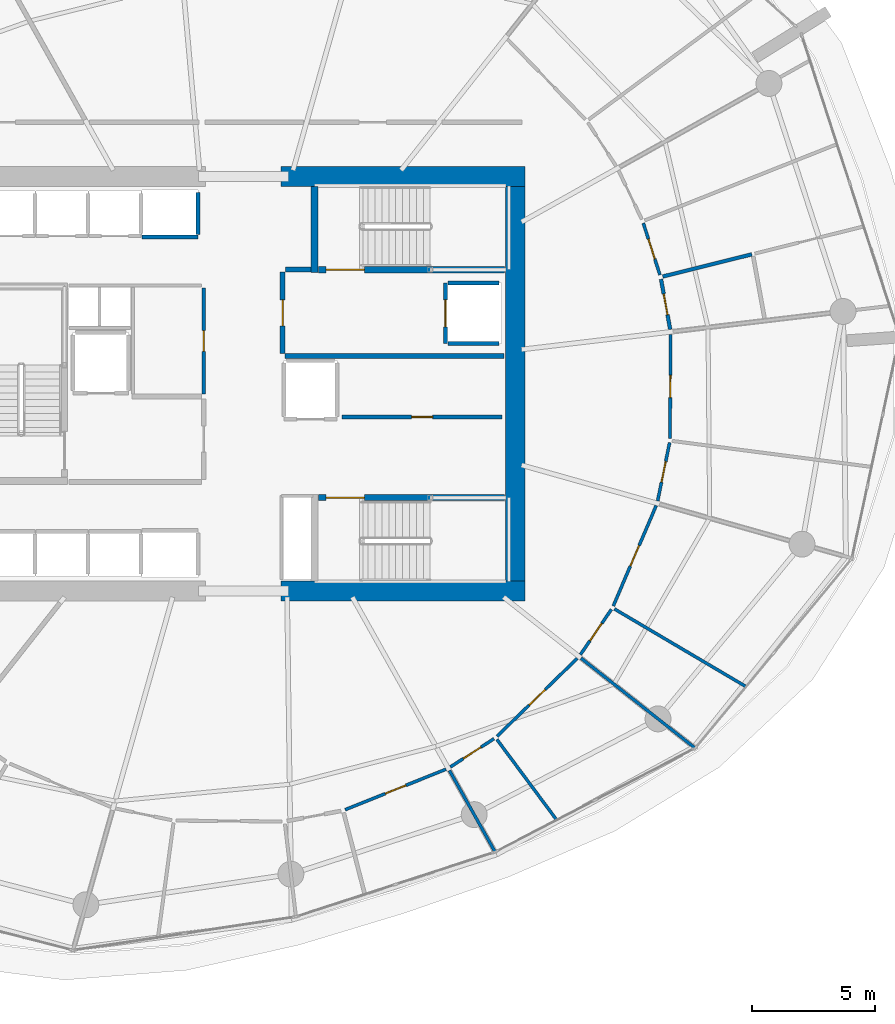
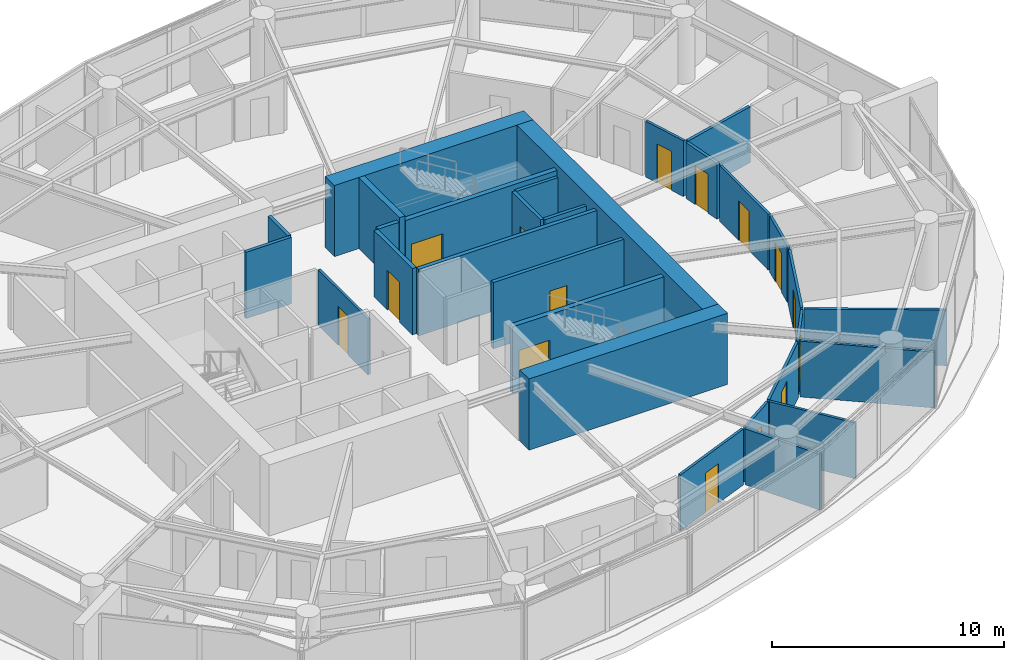
# One storey, part 14 of 17: 30 walls, 15 doors, 15 openings.
"""IFC4 building model written with IfcOpenShell, lengths in metres."""

from ifc_helpers import new_model, si_unit, direction, frame, frame_2d, origin, place, context, subcontext, project, spatial, rectangle, extrude, material, layer, layer_set, type_object, element, fill, save


model = new_model("IFC4")

# Units and contexts
model_context = context("Model", 3, precision=1e-05, world=origin(), true_north=direction((0.0, 1.0)))
body_context = subcontext(model_context, "Body", "Model", "MODEL_VIEW")
ifc_project = project(units=[si_unit("LENGTHUNIT", "METRE"), si_unit("AREAUNIT", "SQUARE_METRE"), si_unit("VOLUMEUNIT", "CUBIC_METRE"), si_unit("PLANEANGLEUNIT", "RADIAN"), si_unit("MASSUNIT", "GRAM", prefix="KILO")], contexts=[model_context])

# Site, building, storey
site_placement = place(None, origin())
site = spatial("IfcSite", under=ifc_project, at=site_placement, CompositionType="ELEMENT")
building_placement = place(site_placement, origin())
building = spatial("IfcBuilding", under=site, at=building_placement, Name="Kazma Halo Residences", CompositionType="ELEMENT")
storey_placement = place(building_placement, frame((0.0, 0.0, 127.800048828125)))
storey = spatial("IfcBuildingStorey", under=building, at=storey_placement, Name="L31", CompositionType="ELEMENT", Elevation=127.800048828125)

# Walls
ifc_material_1 = material(Name="Concrete C80/95", Category="concrete")
ifc_layer_1 = layer(ifc_material_1, 0.800048828125)
ifc_layer_set_1 = layer_set([ifc_layer_1], Name="Concrete C80/95")
wall_type_1 = type_object("IfcWallType", Name="WL-CORE-800", PredefinedType="SHEAR", material=ifc_layer_set_1)
for number, where, z_axis, x_axis, name in (
    (1, (49.949951171875, 33.60009765625, 0.0), (0.0, 0.0, 1.0), (1.0, 0.0, 0.0), "L31 central core shear wall SE"),
    (2, (49.949951171875, 50.39990234375, 0.0), (0.0, 0.0, 1.0), (1.0, 0.0, 0.0), "L31 central core shear wall NE"),
):
    element("IfcWall", number, at=place(storey_placement, frame(where, z_axis=z_axis, x_axis=x_axis)), inside=storey, type_object=wall_type_1, Name=name, PredefinedType="SHEAR", context=body_context, shape_type="SweptSolid", body=[
        extrude(rectangle(XDim=9.900146484375, YDim=0.800048828125, at=frame_2d((4.9501953125, 0.0))), origin(), (0.0, 0.0, 1.0), 3.75),
    ])
wall_1_placement = place(storey_placement, frame((59.449951171875, 34.0, 0.0), z_axis=(0.0, 0.0, 1.0), x_axis=(0.0, 1.0, 0.0)))
element("IfcWall", 3, at=wall_1_placement, inside=storey, type_object=wall_type_1, Name="L31 central core shear wall E", PredefinedType="SHEAR", context=body_context, shape_type="SweptSolid", body=[
    extrude(rectangle(XDim=16.0, YDim=0.800048828125, at=frame_2d((8.0, 0.0))), origin(), (0.0, 0.0, 1.0), 3.75),
])
ifc_material_2 = material(Name="Concrete C60/75", Category="concrete")
ifc_layer_2 = layer(ifc_material_2, 0.280029296875)
ifc_layer_set_2 = layer_set([ifc_layer_2], Name="Concrete C60/75")
wall_type_2 = type_object("IfcWallType", Name="WL-CORE-ST-280", PredefinedType="SHEAR", material=ifc_layer_set_2)
wall_2_placement = place(storey_placement, frame((51.31005859375, 46.5, 0.0), z_axis=(0.0, 0.0, 1.0), x_axis=(0.0, 1.0, 0.0)))
element("IfcWall", 4, at=wall_2_placement, inside=storey, type_object=wall_type_2, Name="L31 stairwell bearing wall ST02-W", PredefinedType="SHEAR", context=body_context, shape_type="SweptSolid", body=[
    extrude(rectangle(XDim=3.5, YDim=0.280029296875, at=frame_2d((1.75, 0.0))), origin(), (0.0, 0.0, 1.0), 3.75),
])
ifc_material_3 = material(Name="Fire-Rated Blockwork Masonry", Category="masonry")
ifc_layer_3 = layer(ifc_material_3, 0.199951171875)
ifc_layer_set_3 = layer_set([ifc_layer_3], Name="Fire-Rated Blockwork Masonry")
wall_type_3 = type_object("IfcWallType", Name="WL-FLB-200", PredefinedType="PARTITIONING", material=ifc_layer_set_3)
wall_3_placement = place(storey_placement, frame((46.580078125, 47.945068359375, 0.0), z_axis=(0.0, 0.0, 1.0), x_axis=(-1.0, 0.0, 0.0)))
element("IfcWall", 5, at=wall_3_placement, inside=storey, type_object=wall_type_3, Name="L31 lift shaft PX-01 front wall", PredefinedType="PARTITIONING", context=body_context, shape_type="SweptSolid", body=[
    extrude(rectangle(XDim=2.260009765625, YDim=0.159912109375, at=frame_2d((1.1298828125, 0.0))), origin(), (0.0, 0.0, 1.0), 3.5),
])
wall_4_placement = place(storey_placement, frame((46.580078125, 48.044921875, 0.0), z_axis=(0.0, 0.0, 1.0), x_axis=(0.0, 1.0, 0.0)))
element("IfcWall", 6, at=wall_4_placement, inside=storey, type_object=wall_type_3, Name="L31 lift shaft PX-01 side wall E", PredefinedType="PARTITIONING", context=body_context, shape_type="SweptSolid", body=[
    extrude(rectangle(XDim=1.7099609375, YDim=0.159912109375, at=frame_2d((0.85498046875, 0.0))), origin(), (0.0, 0.0, 1.0), 3.5),
])

# Wall, opening, door
wall_5_placement = place(storey_placement, frame((56.6201171875, 46.080078125, 0.0), z_axis=(0.0, 0.0, 1.0), x_axis=(0.0, -1.0, 0.0)))
wall_5 = element("IfcWall", 7, at=wall_5_placement, inside=storey, type_object=wall_type_3, Name="L31 lift shaft FL-02 front wall", PredefinedType="PARTITIONING", context=body_context, shape_type="SweptSolid", body=[
    extrude(rectangle(XDim=2.4599609375, YDim=0.159912109375, at=frame_2d((1.22998046875, 0.0))), origin(), (0.0, 0.0, 1.0), 3.5),
])
opening_1_placement = place(wall_5_placement, frame((0.679931640625, 0.0, 0.0)))
opening_1 = element("IfcOpeningElement", 8, at=opening_1_placement, cuts=wall_5, Name="Opening LD-FL-02", PredefinedType="OPENING", context=body_context, shape_type="SweptSolid", body=[
    extrude(rectangle(XDim=1.10009765625, YDim=2.10009765625, at=frame_2d((0.550048828125, 1.050048828125))), frame((0.0, 0.08984375, 0.0), z_axis=(0.0, -1.0, 0.0), x_axis=(1.0, 0.0, 0.0)), (0.0, 0.0, 1.0), 0.179931640625),
])
ifc_material_4 = material(Name="Stainless Steel Fire-Rated", Category="steel")
door_type_1 = type_object("IfcDoorType", Name="DR-LIFT-SLD-1100", OperationType="DOUBLE_DOOR_SLIDING", PredefinedType="DOOR", material=ifc_material_4)
door_1_placement = place(opening_1_placement, origin())
door_1 = element("IfcDoor", 9, at=door_1_placement, inside=storey, type_object=door_type_1, Name="L31 lift FL-02 sliding landing door", OperationType="DOUBLE_DOOR_SLIDING", OverallHeight=2.10009765625, OverallWidth=1.10009765625, PredefinedType="DOOR", context=body_context, shape_type="SweptSolid", body=[
    extrude(rectangle(XDim=1.10009765625, YDim=2.10009765625, at=frame_2d((0.550048828125, 1.050048828125))), frame((0.0, 0.02490234375, 0.0), z_axis=(0.0, -1.0, 0.0), x_axis=(1.0, 0.0, 0.0)), (0.0, 0.0, 1.0), 0.050048828125),
])
fill(opening_1, door_1)

# Walls
for number, where, z_axis, x_axis, name in (
    (10, (56.719970703125, 46.080078125, 0.0), (0.0, 0.0, 1.0), (1.0, 0.0, 0.0), "L31 lift shaft FL-02 side wall N"),
    (11, (56.719970703125, 43.6201171875, 0.0), (0.0, 0.0, 1.0), (1.0, 0.0, 0.0), "L31 lift shaft FL-02 side wall S"),
):
    element("IfcWall", number, at=place(storey_placement, frame(where, z_axis=z_axis, x_axis=x_axis)), inside=storey, type_object=wall_type_3, Name=name, PredefinedType="PARTITIONING", context=body_context, shape_type="SweptSolid", body=[
        extrude(rectangle(XDim=2.06005859375, YDim=0.159912109375, at=frame_2d((1.030029296875, 0.0))), origin(), (0.0, 0.0, 1.0), 3.5),
    ])

# Wall, opening, door
wall_6_placement = place(storey_placement, frame((52.419921875, 40.64990234375, 0.0), z_axis=(0.0, 0.0, 1.0), x_axis=(1.0, 0.0, 0.0)))
wall_6 = element("IfcWall", 12, at=wall_6_placement, inside=storey, type_object=wall_type_3, Name="L31 core east reserve wall", PredefinedType="PARTITIONING", context=body_context, shape_type="SweptSolid", body=[
    extrude(rectangle(XDim=6.5, YDim=0.179931640625, at=frame_2d((3.25, 0.0))), origin(), (0.0, 0.0, 1.0), 3.5),
])
opening_2_placement = place(wall_6_placement, frame((2.824951171875, 0.0, 0.0)))
opening_2 = element("IfcOpeningElement", 13, at=opening_2_placement, cuts=wall_6, Name="Opening DS-850", PredefinedType="OPENING", context=body_context, shape_type="SweptSolid", body=[
    extrude(rectangle(XDim=0.85009765625, YDim=2.06005859375, at=frame_2d((0.425048828125, 1.030029296875))), frame((0.0, 0.099853515625, 0.0), z_axis=(0.0, -1.0, 0.0), x_axis=(1.0, 0.0, 0.0)), (0.0, 0.0, 1.0), 0.199951171875),
])
ifc_material_5 = material(Name="Painted Steel Access Leaf", Category="steel")
door_type_2 = type_object("IfcDoorType", Name="DR-SVC-850", OperationType="NOTDEFINED", PredefinedType="DOOR", material=ifc_material_5)
door_2_placement = place(opening_2_placement, origin())
door_2 = element("IfcDoor", 14, at=door_2_placement, inside=storey, type_object=door_type_2, Name="L31 core east reserve door", OperationType="SINGLE_SWING_RIGHT", OverallHeight=2.06005859375, OverallWidth=0.85009765625, PredefinedType="DOOR", context=body_context, shape_type="SweptSolid", body=[
    extrude(rectangle(XDim=0.85009765625, YDim=2.06005859375, at=frame_2d((0.425048828125, 1.030029296875))), frame((0.0, 0.02490234375, 0.0), z_axis=(0.0, -1.0, 0.0), x_axis=(1.0, 0.0, 0.0)), (0.0, 0.0, 1.0), 0.050048828125),
])
fill(opening_2, door_2)

# Walls
wall_7_placement = place(storey_placement, frame((50.1201171875, 43.1201171875, 0.0), z_axis=(0.0, 0.0, 1.0), x_axis=(1.0, 0.0, 0.0)))
element("IfcWall", 15, at=wall_7_placement, inside=storey, type_object=wall_type_3, Name="L31 east firefighting lobby south smoke wall", PredefinedType="PARTITIONING", context=body_context, shape_type="SweptSolid", body=[
    extrude(rectangle(XDim=8.8798828125, YDim=0.199951171875, at=frame_2d((4.43994140625, 0.0))), origin(), (0.0, 0.0, 1.0), 3.5),
])
wall_8_placement = place(storey_placement, frame((50.139892578125, 46.6201171875, 0.0), z_axis=(0.0, 0.0, 1.0), x_axis=(1.0, 0.0, 0.0)))
element("IfcWall", 16, at=wall_8_placement, inside=storey, type_object=wall_type_3, Name="L31 east firefighting lobby north closure wall", PredefinedType="PARTITIONING", context=body_context, shape_type="SweptSolid", body=[
    extrude(rectangle(XDim=1.02001953125, YDim=0.199951171875, at=frame_2d((0.510009765625, 0.0))), origin(), (0.0, 0.0, 1.0), 3.5),
])

# Wall, opening, door
wall_9_placement = place(storey_placement, frame((50.02001953125, 43.219970703125, 0.0), z_axis=(0.0, 0.0, 1.0), x_axis=(0.0, 1.0, 0.0)))
wall_9 = element("IfcWall", 17, at=wall_9_placement, inside=storey, type_object=wall_type_3, Name="L31 east firefighting lobby smoke wall", PredefinedType="PARTITIONING", context=body_context, shape_type="SweptSolid", body=[
    extrude(rectangle(XDim=3.300048828125, YDim=0.199951171875, at=frame_2d((1.64990234375, 0.0))), origin(), (0.0, 0.0, 1.0), 3.5),
])
opening_3_placement = place(wall_9_placement, frame((1.125, 0.0, 0.0)))
opening_3 = element("IfcOpeningElement", 18, at=opening_3_placement, cuts=wall_9, Name="Opening D-FLE", PredefinedType="OPENING", context=body_context, shape_type="SweptSolid", body=[
    extrude(rectangle(XDim=1.050048828125, YDim=2.10009765625, at=frame_2d((0.52490234375, 1.050048828125))), frame((0.0, 0.10986328125, 0.0), z_axis=(0.0, -1.0, 0.0), x_axis=(1.0, 0.0, 0.0)), (0.0, 0.0, 1.0), 0.219970703125),
])
ifc_material_6 = material(Name="Fire-Rated Steel Leaf", Category="steel")
door_type_3 = type_object("IfcDoorType", Name="DR-FD90-1050", OperationType="NOTDEFINED", PredefinedType="DOOR", material=ifc_material_6)
door_3_placement = place(opening_3_placement, origin())
door_3 = element("IfcDoor", 19, at=door_3_placement, inside=storey, type_object=door_type_3, Name="L31 east firefighting lobby smoke door", OperationType="SINGLE_SWING_LEFT", OverallHeight=2.10009765625, OverallWidth=1.050048828125, PredefinedType="DOOR", context=body_context, shape_type="SweptSolid", body=[
    extrude(rectangle(XDim=1.050048828125, YDim=2.10009765625, at=frame_2d((0.52490234375, 1.050048828125))), frame((0.0, 0.02490234375, 0.0), z_axis=(0.0, -1.0, 0.0), x_axis=(1.0, 0.0, 0.0)), (0.0, 0.0, 1.0), 0.050048828125),
])
fill(opening_3, door_3)

ifc_material_7 = material(Name="Gypsum Plasterboard Partition")
ifc_layer_4 = layer(ifc_material_7, 0.125)
ifc_layer_set_4 = layer_set([ifc_layer_4], Name="Gypsum Plasterboard Partition")
wall_type_4 = type_object("IfcWallType", Name="WL-PART-125", PredefinedType="PARTITIONING", material=ifc_layer_set_4)
wall_10_placement = place(storey_placement, frame((46.820068359375, 41.580078125, 0.0), z_axis=(0.0, 0.0, 1.0), x_axis=(0.0, 1.0, 0.0)))
wall_10 = element("IfcWall", 20, at=wall_10_placement, inside=storey, type_object=wall_type_4, Name="L31 core service room east wall", PredefinedType="PARTITIONING", context=body_context, shape_type="SweptSolid", body=[
    extrude(rectangle(XDim=4.2998046875, YDim=0.125, at=frame_2d((2.14990234375, 0.0))), origin(), (0.0, 0.0, 1.0), 2.93994140625),
])
opening_4_placement = place(wall_10_placement, frame((1.72509765625, 0.0, 0.0)))
opening_4 = element("IfcOpeningElement", 21, at=opening_4_placement, cuts=wall_10, Name="Opening DS-850", PredefinedType="OPENING", context=body_context, shape_type="SweptSolid", body=[
    extrude(rectangle(XDim=0.85009765625, YDim=2.06005859375, at=frame_2d((0.425048828125, 1.030029296875))), frame((0.0, 0.072509765625, 0.0), z_axis=(0.0, -1.0, 0.0), x_axis=(1.0, 0.0, 0.0)), (0.0, 0.0, 1.0), 0.14501953125),
])
door_4_placement = place(opening_4_placement, origin())
door_4 = element("IfcDoor", 22, at=door_4_placement, inside=storey, type_object=door_type_2, Name="L31 core service room door", OperationType="SINGLE_SWING_RIGHT", OverallHeight=2.06005859375, OverallWidth=0.85009765625, PredefinedType="DOOR", context=body_context, shape_type="SweptSolid", body=[
    extrude(rectangle(XDim=0.85009765625, YDim=2.06005859375, at=frame_2d((0.425048828125, 1.030029296875))), frame((0.0, 0.02490234375, 0.0), z_axis=(0.0, -1.0, 0.0), x_axis=(1.0, 0.0, 0.0)), (0.0, 0.0, 1.0), 0.050048828125),
])
fill(opening_4, door_4)

wall_11_placement = place(storey_placement, frame((52.5546875, 24.73193359375, 0.0), z_axis=(0.0, 0.0, 1.0), x_axis=(0.928047573438, 0.372461677809, 0.0)))
wall_11 = element("IfcWall", 23, at=wall_11_placement, inside=storey, type_object=wall_type_4, Name="L31 Apartment 3 South Master Bedroom hall wall", PredefinedType="PARTITIONING", context=body_context, shape_type="SweptSolid", body=[
    extrude(rectangle(XDim=4.40087890625, YDim=0.125, at=frame_2d((2.200439453125, 0.0))), origin(), (0.0, 0.0, 1.0), 2.93994140625),
])
opening_5_placement = place(wall_11_placement, frame((1.75048828125, 0.0, 0.0)))
opening_5 = element("IfcOpeningElement", 24, at=opening_5_placement, cuts=wall_11, Name="Opening DI-950", PredefinedType="OPENING", context=body_context, shape_type="SweptSolid", body=[
    extrude(rectangle(XDim=0.89990234375, YDim=2.080078125, at=frame_2d((0.449951171875, 1.0400390625))), frame((0.0, 0.072509765625, 0.0), z_axis=(0.0, -1.0, 0.0), x_axis=(1.0, 0.0, 0.0)), (0.0, 0.0, 1.0), 0.14501953125),
])
ifc_material_8 = material(Name="Timber Veneer Flush Leaf", Category="wood")
door_type_4 = type_object("IfcDoorType", Name="DR-INT-950", OperationType="NOTDEFINED", PredefinedType="DOOR", material=ifc_material_8)
door_5_placement = place(opening_5_placement, origin())
door_5 = element("IfcDoor", 25, at=door_5_placement, inside=storey, type_object=door_type_4, Name="L31 Apartment 3 South Master Bedroom door", OperationType="SINGLE_SWING_LEFT", OverallHeight=2.080078125, OverallWidth=0.89990234375, PredefinedType="DOOR", context=body_context, shape_type="SweptSolid", body=[
    extrude(rectangle(XDim=0.89990234375, YDim=2.080078125, at=frame_2d((0.449951171875, 1.0400390625))), frame((0.0, 0.02490234375, 0.0), z_axis=(0.0, -1.0, 0.0), x_axis=(1.0, 0.0, 0.0)), (0.0, 0.0, 1.0), 0.050048828125),
])
fill(opening_5, door_5)

# Walls
wall_12_placement = place(storey_placement, frame((56.780517578125, 26.3212890625, 0.0), z_axis=(0.0, 0.0, 1.0), x_axis=(0.488640887976, -0.872485004225, 0.0)))
element("IfcWall", 26, at=wall_12_placement, inside=storey, type_object=wall_type_4, Name="L31 Apartment 3 radial partition 12", PredefinedType="PARTITIONING", context=body_context, shape_type="SweptSolid", body=[
    extrude(rectangle(XDim=3.7646484375, YDim=0.125, at=frame_2d((1.88232421875, 0.0))), origin(), (0.0, 0.0, 1.0), 2.93994140625),
])
wall_13_placement = place(storey_placement, frame((58.704345703125, 27.57861328125, 0.0), z_axis=(0.0, 0.0, 1.0), x_axis=(0.596041612314, -0.802953545599, 0.0)))
element("IfcWall", 27, at=wall_13_placement, inside=storey, type_object=wall_type_4, Name="L31 Apartment 3 mid-bay wall 12", PredefinedType="PARTITIONING", context=body_context, shape_type="SweptSolid", body=[
    extrude(rectangle(XDim=4.043701171875, YDim=0.125, at=frame_2d((2.02197265625, 0.0))), origin(), (0.0, 0.0, 1.0), 2.93994140625),
])

# Wall, opening, door
wall_14_placement = place(storey_placement, frame((56.815673828125, 26.462890625, 0.0), z_axis=(0.0, 0.0, 1.0), x_axis=(0.839430168182, 0.543467563656, 0.0)))
wall_14 = element("IfcWall", 28, at=wall_14_placement, inside=storey, type_object=wall_type_4, Name="L31 Apartment 3 Inner Bedroom hall wall", PredefinedType="PARTITIONING", context=body_context, shape_type="SweptSolid", body=[
    extrude(rectangle(XDim=2.10595703125, YDim=0.125, at=frame_2d((1.052978515625, 0.0))), origin(), (0.0, 0.0, 1.0), 2.93994140625),
])
opening_6_placement = place(wall_14_placement, frame((0.628173828125, 0.0, 0.0)))
opening_6 = element("IfcOpeningElement", 29, at=opening_6_placement, cuts=wall_14, Name="Opening DB-900", PredefinedType="OPENING", context=body_context, shape_type="SweptSolid", body=[
    extrude(rectangle(XDim=0.85009765625, YDim=2.06005859375, at=frame_2d((0.425048828125, 1.030029296875))), frame((0.0, 0.072509765625, 0.0), z_axis=(0.0, -1.0, 0.0), x_axis=(1.0, 0.0, 0.0)), (0.0, 0.0, 1.0), 0.14501953125),
])
ifc_material_9 = material(Name="Moisture-Sealed Timber Leaf", Category="wood")
door_type_5 = type_object("IfcDoorType", Name="DR-BTH-900", OperationType="NOTDEFINED", PredefinedType="DOOR", material=ifc_material_9)
door_6_placement = place(opening_6_placement, origin())
door_6 = element("IfcDoor", 30, at=door_6_placement, inside=storey, type_object=door_type_5, Name="L31 Apartment 3 Inner Bedroom door", OperationType="SINGLE_SWING_RIGHT", OverallHeight=2.06005859375, OverallWidth=0.85009765625, PredefinedType="DOOR", context=body_context, shape_type="SweptSolid", body=[
    extrude(rectangle(XDim=0.85009765625, YDim=2.06005859375, at=frame_2d((0.425048828125, 1.030029296875))), frame((0.0, 0.02490234375, 0.0), z_axis=(0.0, -1.0, 0.0), x_axis=(1.0, 0.0, 0.0)), (0.0, 0.0, 1.0), 0.050048828125),
])
fill(opening_6, door_6)

wall_15_placement = place(storey_placement, frame((58.708251953125, 27.70654296875, 0.0), z_axis=(0.0, 0.0, 1.0), x_axis=(0.717285529331, 0.696779354898, 0.0)))
wall_15 = element("IfcWall", 31, at=wall_15_placement, inside=storey, type_object=wall_type_4, Name="L31 Apartment 3 Outer Bedroom hall wall", PredefinedType="PARTITIONING", context=body_context, shape_type="SweptSolid", body=[
    extrude(rectangle(XDim=4.5361328125, YDim=0.125, at=frame_2d((2.26806640625, 0.0))), origin(), (0.0, 0.0, 1.0), 2.93994140625),
])
opening_7_placement = place(wall_15_placement, frame((1.818115234375, 0.0, 0.0)))
opening_7 = element("IfcOpeningElement", 32, at=opening_7_placement, cuts=wall_15, Name="Opening DI-950", PredefinedType="OPENING", context=body_context, shape_type="SweptSolid", body=[
    extrude(rectangle(XDim=0.89990234375, YDim=2.080078125, at=frame_2d((0.449951171875, 1.0400390625))), frame((0.0, 0.072509765625, 0.0), z_axis=(0.0, -1.0, 0.0), x_axis=(1.0, 0.0, 0.0)), (0.0, 0.0, 1.0), 0.14501953125),
])
door_7_placement = place(opening_7_placement, origin())
door_7 = element("IfcDoor", 33, at=door_7_placement, inside=storey, type_object=door_type_4, Name="L31 Apartment 3 Outer Bedroom door", OperationType="SINGLE_SWING_LEFT", OverallHeight=2.080078125, OverallWidth=0.89990234375, PredefinedType="DOOR", context=body_context, shape_type="SweptSolid", body=[
    extrude(rectangle(XDim=0.89990234375, YDim=2.080078125, at=frame_2d((0.449951171875, 1.0400390625))), frame((0.0, 0.02490234375, 0.0), z_axis=(0.0, -1.0, 0.0), x_axis=(1.0, 0.0, 0.0)), (0.0, 0.0, 1.0), 0.050048828125),
])
fill(opening_7, door_7)

# Walls
wall_16_placement = place(storey_placement, frame((62.112060546875, 30.875, 0.0), z_axis=(0.0, 0.0, 1.0), x_axis=(0.785328664081, -0.619079065526, 0.0)))
element("IfcWall", 34, at=wall_16_placement, inside=storey, type_object=wall_type_4, Name="L31 Apartment 3 radial partition 13", PredefinedType="PARTITIONING", context=body_context, shape_type="SweptSolid", body=[
    extrude(rectangle(XDim=5.86962890625, YDim=0.125, at=frame_2d((2.934814453125, 0.0))), origin(), (0.0, 0.0, 1.0), 2.93994140625),
])
wall_17_placement = place(storey_placement, frame((63.466064453125, 32.86962890625, 0.0), z_axis=(0.0, 0.0, 1.0), x_axis=(0.861154082878, -0.508344022826, 0.0)))
element("IfcWall", 35, at=wall_17_placement, inside=storey, type_object=wall_type_4, Name="L31 Apartment 3 mid-bay wall 13", PredefinedType="PARTITIONING", context=body_context, shape_type="SweptSolid", body=[
    extrude(rectangle(XDim=6.17041015625, YDim=0.125, at=frame_2d((3.085205078125, 0.0))), origin(), (0.0, 0.0, 1.0), 2.93994140625),
])

# Wall, opening, door
wall_18_placement = place(storey_placement, frame((62.090087890625, 31.019287109375, 0.0), z_axis=(0.0, 0.0, 1.0), x_axis=(0.56501922338, 0.825077740101, 0.0)))
wall_18 = element("IfcWall", 36, at=wall_18_placement, inside=storey, type_object=wall_type_4, Name="L31 Apartment 3 Corner Bedroom hall wall", PredefinedType="PARTITIONING", context=body_context, shape_type="SweptSolid", body=[
    extrude(rectangle(XDim=2.21826171875, YDim=0.125, at=frame_2d((1.109130859375, 0.0))), origin(), (0.0, 0.0, 1.0), 2.93994140625),
])
opening_8_placement = place(wall_18_placement, frame((0.68408203125, 0.0, 0.0)))
opening_8 = element("IfcOpeningElement", 37, at=opening_8_placement, cuts=wall_18, Name="Opening DB-900", PredefinedType="OPENING", context=body_context, shape_type="SweptSolid", body=[
    extrude(rectangle(XDim=0.85009765625, YDim=2.06005859375, at=frame_2d((0.425048828125, 1.030029296875))), frame((0.0, 0.072509765625, 0.0), z_axis=(0.0, -1.0, 0.0), x_axis=(1.0, 0.0, 0.0)), (0.0, 0.0, 1.0), 0.14501953125),
])
door_8_placement = place(opening_8_placement, origin())
door_8 = element("IfcDoor", 38, at=door_8_placement, inside=storey, type_object=door_type_5, Name="L31 Apartment 3 Corner Bedroom door", OperationType="SINGLE_SWING_LEFT", OverallHeight=2.06005859375, OverallWidth=0.85009765625, PredefinedType="DOOR", context=body_context, shape_type="SweptSolid", body=[
    extrude(rectangle(XDim=0.85009765625, YDim=2.06005859375, at=frame_2d((0.425048828125, 1.030029296875))), frame((0.0, 0.02490234375, 0.0), z_axis=(0.0, -1.0, 0.0), x_axis=(1.0, 0.0, 0.0)), (0.0, 0.0, 1.0), 0.050048828125),
])
fill(opening_8, door_8)

wall_19_placement = place(storey_placement, frame((63.420166015625, 32.989013671875, 0.0), z_axis=(0.0, 0.0, 1.0), x_axis=(0.393166713518, 0.919467201906, 0.0)))
wall_19 = element("IfcWall", 39, at=wall_19_placement, inside=storey, type_object=wall_type_4, Name="L31 Apartment 3 Garden Master Bedroom hall wall", PredefinedType="PARTITIONING", context=body_context, shape_type="SweptSolid", body=[
    extrude(rectangle(XDim=4.425048828125, YDim=0.125, at=frame_2d((2.21240234375, 0.0))), origin(), (0.0, 0.0, 1.0), 2.93994140625),
])
opening_9_placement = place(wall_19_placement, frame((1.762451171875, 0.0, 0.0)))
opening_9 = element("IfcOpeningElement", 40, at=opening_9_placement, cuts=wall_19, Name="Opening DI-950", PredefinedType="OPENING", context=body_context, shape_type="SweptSolid", body=[
    extrude(rectangle(XDim=0.89990234375, YDim=2.080078125, at=frame_2d((0.449951171875, 1.0400390625))), frame((0.0, 0.072509765625, 0.0), z_axis=(0.0, -1.0, 0.0), x_axis=(1.0, 0.0, 0.0)), (0.0, 0.0, 1.0), 0.14501953125),
])
door_9_placement = place(opening_9_placement, origin())
door_9 = element("IfcDoor", 41, at=door_9_placement, inside=storey, type_object=door_type_4, Name="L31 Apartment 3 Garden Master Bedroom door", OperationType="SINGLE_SWING_RIGHT", OverallHeight=2.080078125, OverallWidth=0.89990234375, PredefinedType="DOOR", context=body_context, shape_type="SweptSolid", body=[
    extrude(rectangle(XDim=0.89990234375, YDim=2.080078125, at=frame_2d((0.449951171875, 1.0400390625))), frame((0.0, 0.02490234375, 0.0), z_axis=(0.0, -1.0, 0.0), x_axis=(1.0, 0.0, 0.0)), (0.0, 0.0, 1.0), 0.050048828125),
])
fill(opening_9, door_9)

wall_20_placement = place(storey_placement, frame((65.21923828125, 37.247314453125, 0.0), z_axis=(0.0, 0.0, 1.0), x_axis=(0.20083963331, 0.979624132865, 0.0)))
wall_20 = element("IfcWall", 42, at=wall_20_placement, inside=storey, type_object=wall_type_4, Name="L31 Apartment 3 Sky Private Study hall wall", PredefinedType="PARTITIONING", context=body_context, shape_type="SweptSolid", body=[
    extrude(rectangle(XDim=2.4140625, YDim=0.125, at=frame_2d((1.20703125, 0.0))), origin(), (0.0, 0.0, 1.0), 2.93994140625),
])
opening_10_placement = place(wall_20_placement, frame((0.781982421875, 0.0, 0.0)))
opening_10 = element("IfcOpeningElement", 43, at=opening_10_placement, cuts=wall_20, Name="Opening DB-900", PredefinedType="OPENING", context=body_context, shape_type="SweptSolid", body=[
    extrude(rectangle(XDim=0.85009765625, YDim=2.06005859375, at=frame_2d((0.425048828125, 1.030029296875))), frame((0.0, 0.072509765625, 0.0), z_axis=(0.0, -1.0, 0.0), x_axis=(1.0, 0.0, 0.0)), (0.0, 0.0, 1.0), 0.14501953125),
])
door_10_placement = place(opening_10_placement, origin())
door_10 = element("IfcDoor", 44, at=door_10_placement, inside=storey, type_object=door_type_5, Name="L31 Apartment 3 Sky Private Study door", OperationType="SINGLE_SWING_RIGHT", OverallHeight=2.06005859375, OverallWidth=0.85009765625, PredefinedType="DOOR", context=body_context, shape_type="SweptSolid", body=[
    extrude(rectangle(XDim=0.85009765625, YDim=2.06005859375, at=frame_2d((0.425048828125, 1.030029296875))), frame((0.0, 0.02490234375, 0.0), z_axis=(0.0, -1.0, 0.0), x_axis=(1.0, 0.0, 0.0)), (0.0, 0.0, 1.0), 0.050048828125),
])
fill(opening_10, door_10)

wall_21_placement = place(storey_placement, frame((65.720703125, 39.770751953125, 0.0), z_axis=(0.0, 0.0, 1.0), x_axis=(0.005887343855, 0.999982669441, 0.0)))
wall_21 = element("IfcWall", 45, at=wall_21_placement, inside=storey, type_object=wall_type_4, Name="L31 Apartment 3 Gulf Master Bedroom hall wall", PredefinedType="PARTITIONING", context=body_context, shape_type="SweptSolid", body=[
    extrude(rectangle(XDim=4.229736328125, YDim=0.125, at=frame_2d((2.11474609375, 0.0))), origin(), (0.0, 0.0, 1.0), 2.93994140625),
])
opening_11_placement = place(wall_21_placement, frame((1.664794921875, 0.0, 0.0)))
opening_11 = element("IfcOpeningElement", 46, at=opening_11_placement, cuts=wall_21, Name="Opening DI-950", PredefinedType="OPENING", context=body_context, shape_type="SweptSolid", body=[
    extrude(rectangle(XDim=0.89990234375, YDim=2.080078125, at=frame_2d((0.449951171875, 1.0400390625))), frame((0.0, 0.072509765625, 0.0), z_axis=(0.0, -1.0, 0.0), x_axis=(1.0, 0.0, 0.0)), (0.0, 0.0, 1.0), 0.14501953125),
])
door_11_placement = place(opening_11_placement, origin())
door_11 = element("IfcDoor", 47, at=door_11_placement, inside=storey, type_object=door_type_4, Name="L31 Apartment 3 Gulf Master Bedroom door", OperationType="SINGLE_SWING_LEFT", OverallHeight=2.080078125, OverallWidth=0.89990234375, PredefinedType="DOOR", context=body_context, shape_type="SweptSolid", body=[
    extrude(rectangle(XDim=0.89990234375, YDim=2.080078125, at=frame_2d((0.449951171875, 1.0400390625))), frame((0.0, 0.02490234375, 0.0), z_axis=(0.0, -1.0, 0.0), x_axis=(1.0, 0.0, 0.0)), (0.0, 0.0, 1.0), 0.050048828125),
])
fill(opening_11, door_11)

wall_22_placement = place(storey_placement, frame((65.31201171875, 46.4072265625, 0.0), z_axis=(0.0, 0.0, 1.0), x_axis=(-0.305823000028, 0.952088384896, 0.0)))
wall_22 = element("IfcWall", 48, at=wall_22_placement, inside=storey, type_object=wall_type_4, Name="L31 Apartment 3 East Private Study hall wall", PredefinedType="PARTITIONING", context=body_context, shape_type="SweptSolid", body=[
    extrude(rectangle(XDim=2.207275390625, YDim=0.125, at=frame_2d((1.103515625, 0.0))), origin(), (0.0, 0.0, 1.0), 2.93994140625),
])
opening_12_placement = place(wall_22_placement, frame((0.6787109375, 0.0, 0.0)))
opening_12 = element("IfcOpeningElement", 49, at=opening_12_placement, cuts=wall_22, Name="Opening DB-900", PredefinedType="OPENING", context=body_context, shape_type="SweptSolid", body=[
    extrude(rectangle(XDim=0.85009765625, YDim=2.06005859375, at=frame_2d((0.425048828125, 1.030029296875))), frame((0.0, 0.072509765625, 0.0), z_axis=(0.0, -1.0, 0.0), x_axis=(1.0, 0.0, 0.0)), (0.0, 0.0, 1.0), 0.14501953125),
])
door_12_placement = place(opening_12_placement, origin())
door_12 = element("IfcDoor", 50, at=door_12_placement, inside=storey, type_object=door_type_5, Name="L31 Apartment 3 East Private Study door", OperationType="SINGLE_SWING_LEFT", OverallHeight=2.06005859375, OverallWidth=0.85009765625, PredefinedType="DOOR", context=body_context, shape_type="SweptSolid", body=[
    extrude(rectangle(XDim=0.85009765625, YDim=2.06005859375, at=frame_2d((0.425048828125, 1.030029296875))), frame((0.0, 0.02490234375, 0.0), z_axis=(0.0, -1.0, 0.0), x_axis=(1.0, 0.0, 0.0)), (0.0, 0.0, 1.0), 0.050048828125),
])
fill(opening_12, door_12)

ifc_material_10 = material(Name="Concrete C50/60", Category="concrete")
ifc_layer_5 = layer(ifc_material_10, 0.25)
ifc_layer_set_5 = layer_set([ifc_layer_5], Name="Concrete C50/60")
wall_type_5 = type_object("IfcWallType", Name="WL-SHF-250", PredefinedType="SOLIDWALL", material=ifc_layer_set_5)
wall_23_placement = place(storey_placement, frame((51.47998046875, 46.6201171875, 0.0), z_axis=(0.0, 0.0, 1.0), x_axis=(1.0, 0.0, 0.0)))
wall_23 = element("IfcWall", 51, at=wall_23_placement, inside=storey, type_object=wall_type_5, Name="L31 exit stair ST-02 enclosure wall", PredefinedType="SOLIDWALL", context=body_context, shape_type="SweptSolid", body=[
    extrude(rectangle(XDim=7.5400390625, YDim=0.25, at=frame_2d((3.77001953125, 0.0))), origin(), (0.0, 0.0, 1.0), 3.5),
])
opening_13_placement = place(wall_23_placement, frame((0.300048828125, 0.0, 0.0)))
opening_13 = element("IfcOpeningElement", 52, at=opening_13_placement, cuts=wall_23, Name="Opening D-ST2", PredefinedType="OPENING", context=body_context, shape_type="SweptSolid", body=[
    extrude(rectangle(XDim=1.550048828125, YDim=2.14990234375, at=frame_2d((0.77490234375, 1.074951171875))), frame((0.0, 0.135009765625, 0.0), z_axis=(0.0, -1.0, 0.0), x_axis=(1.0, 0.0, 0.0)), (0.0, 0.0, 1.0), 0.27001953125),
])
ifc_material_11 = material(Name="Fire-Rated Double Steel Leaf", Category="steel")
door_type_6 = type_object("IfcDoorType", Name="DR-FD90-1550", OperationType="NOTDEFINED", PredefinedType="DOOR", material=ifc_material_11)
door_13_placement = place(opening_13_placement, origin())
door_13 = element("IfcDoor", 53, at=door_13_placement, inside=storey, type_object=door_type_6, Name="L31 exit stair ST-02 fire door", OperationType="DOUBLE_DOOR_SINGLE_SWING", OverallHeight=2.14990234375, OverallWidth=1.550048828125, PredefinedType="DOOR", context=body_context, shape_type="SweptSolid", body=[
    extrude(rectangle(XDim=1.550048828125, YDim=2.14990234375, at=frame_2d((0.77490234375, 1.074951171875))), frame((0.0, 0.02490234375, 0.0), z_axis=(0.0, -1.0, 0.0), x_axis=(1.0, 0.0, 0.0)), (0.0, 0.0, 1.0), 0.050048828125),
])
fill(opening_13, door_13)

wall_24_placement = place(storey_placement, frame((51.47998046875, 37.3798828125, 0.0), z_axis=(0.0, 0.0, 1.0), x_axis=(1.0, 0.0, 0.0)))
wall_24 = element("IfcWall", 54, at=wall_24_placement, inside=storey, type_object=wall_type_5, Name="L31 exit stair ST-03 enclosure wall", PredefinedType="SOLIDWALL", context=body_context, shape_type="SweptSolid", body=[
    extrude(rectangle(XDim=7.5400390625, YDim=0.25, at=frame_2d((3.77001953125, 0.0))), origin(), (0.0, 0.0, 1.0), 3.5),
])
opening_14_placement = place(wall_24_placement, frame((0.300048828125, 0.0, 0.0)))
opening_14 = element("IfcOpeningElement", 55, at=opening_14_placement, cuts=wall_24, Name="Opening D-ST3", PredefinedType="OPENING", context=body_context, shape_type="SweptSolid", body=[
    extrude(rectangle(XDim=1.550048828125, YDim=2.14990234375, at=frame_2d((0.77490234375, 1.074951171875))), frame((0.0, 0.135009765625, 0.0), z_axis=(0.0, -1.0, 0.0), x_axis=(1.0, 0.0, 0.0)), (0.0, 0.0, 1.0), 0.27001953125),
])
door_14_placement = place(opening_14_placement, origin())
door_14 = element("IfcDoor", 56, at=door_14_placement, inside=storey, type_object=door_type_6, Name="L31 exit stair ST-03 fire door", OperationType="DOUBLE_DOOR_SINGLE_SWING", OverallHeight=2.14990234375, OverallWidth=1.550048828125, PredefinedType="DOOR", context=body_context, shape_type="SweptSolid", body=[
    extrude(rectangle(XDim=1.550048828125, YDim=2.14990234375, at=frame_2d((0.77490234375, 1.074951171875))), frame((0.0, 0.02490234375, 0.0), z_axis=(0.0, -1.0, 0.0), x_axis=(1.0, 0.0, 0.0)), (0.0, 0.0, 1.0), 0.050048828125),
])
fill(opening_14, door_14)

ifc_material_12 = material(Name="Moisture-Resistant Gypsum")
ifc_layer_6 = layer(ifc_material_12, 0.14990234375)
ifc_layer_set_6 = layer_set([ifc_layer_6], Name="Moisture-Resistant Gypsum")
wall_type_6 = type_object("IfcWallType", Name="WL-WET-150", PredefinedType="PARTITIONING", material=ifc_layer_set_6)
wall_25_placement = place(storey_placement, frame((65.72802734375, 44.19873046875, 0.0), z_axis=(0.0, 0.0, 1.0), x_axis=(-0.180017600937, 0.983663389251, 0.0)))
wall_25 = element("IfcWall", 57, at=wall_25_placement, inside=storey, type_object=wall_type_6, Name="L31 Apartment 3 Primary En-Suite Bathroom hall wall", PredefinedType="PARTITIONING", context=body_context, shape_type="SweptSolid", body=[
    extrude(rectangle(XDim=2.068115234375, YDim=0.14990234375, at=frame_2d((1.0341796875, 0.0))), origin(), (0.0, 0.0, 1.0), 2.93994140625),
])
opening_15_placement = place(wall_25_placement, frame((0.60888671875, 0.0, 0.0)))
opening_15 = element("IfcOpeningElement", 58, at=opening_15_placement, cuts=wall_25, Name="Opening DB-900", PredefinedType="OPENING", context=body_context, shape_type="SweptSolid", body=[
    extrude(rectangle(XDim=0.85009765625, YDim=2.06005859375, at=frame_2d((0.425048828125, 1.030029296875))), frame((0.0, 0.0849609375, 0.0), z_axis=(0.0, -1.0, 0.0), x_axis=(1.0, 0.0, 0.0)), (0.0, 0.0, 1.0), 0.169921875),
])
door_15_placement = place(opening_15_placement, origin())
door_15 = element("IfcDoor", 59, at=door_15_placement, inside=storey, type_object=door_type_5, Name="L31 Apartment 3 Primary En-Suite Bathroom door", OperationType="SINGLE_SWING_LEFT", OverallHeight=2.06005859375, OverallWidth=0.85009765625, PredefinedType="DOOR", context=body_context, shape_type="SweptSolid", body=[
    extrude(rectangle(XDim=0.85009765625, YDim=2.06005859375, at=frame_2d((0.425048828125, 1.030029296875))), frame((0.0, 0.02490234375, 0.0), z_axis=(0.0, -1.0, 0.0), x_axis=(1.0, 0.0, 0.0)), (0.0, 0.0, 1.0), 0.050048828125),
])
fill(opening_15, door_15)

# Wall
wall_26_placement = place(storey_placement, frame((65.427001953125, 46.343505859375, 0.0), z_axis=(0.0, 0.0, 1.0), x_axis=(0.97033137229, 0.241778882348, 0.0)))
element("IfcWall", 60, at=wall_26_placement, inside=storey, type_object=wall_type_6, Name="L31 Apartment 3 Primary En-Suite Bathroom side wall", PredefinedType="PARTITIONING", context=body_context, shape_type="SweptSolid", body=[
    extrude(rectangle(XDim=3.719970703125, YDim=0.14990234375, at=frame_2d((1.85986328125, 0.0))), origin(), (0.0, 0.0, 1.0), 2.93994140625),
])

save(model, "model.ifc")
